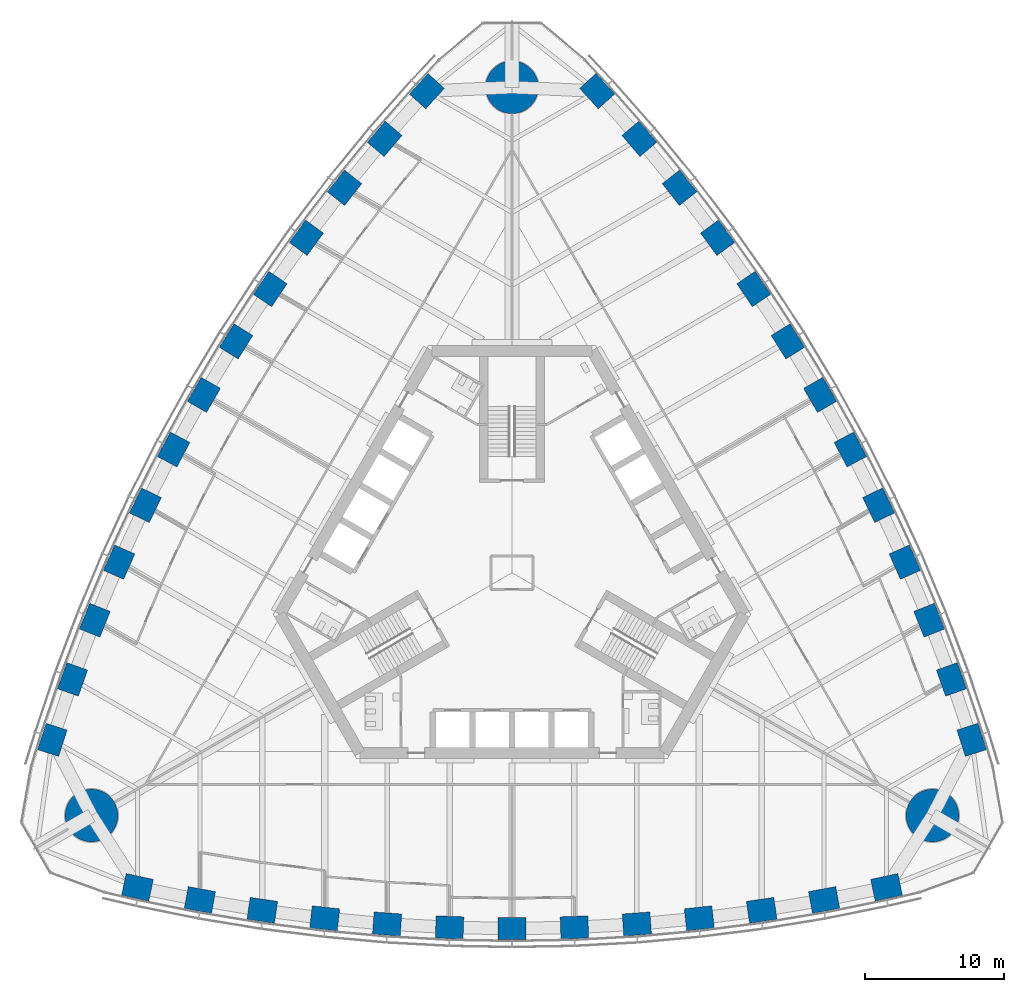
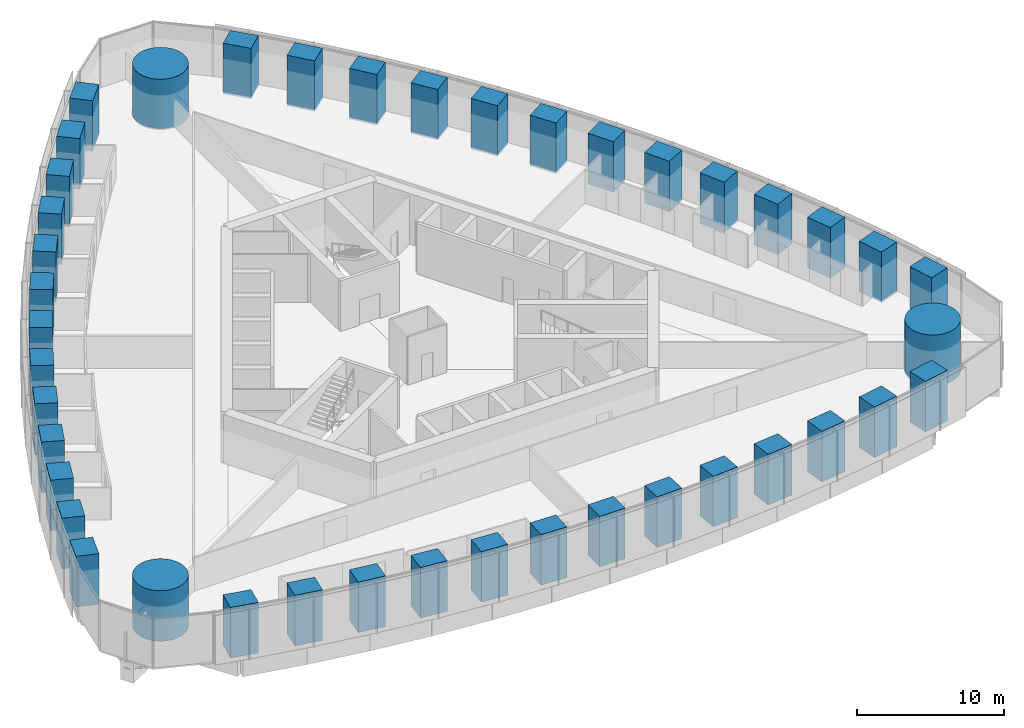
# One storey, part 1 of 18: 42 columns.
"""IFC4 building model written with IfcOpenShell, lengths in metres."""

import ifcopenshell
import ifcopenshell.guid

model = None  # the IFC model being written
_history = None  # IfcOwnerHistory: only IFC2X3 demands one
_inside = {}  # id of a spatial element -> (the spatial element, [elements in it])
_under = {}  # id of a project, library or spatial element -> (it, [spatial elements below it])
_declared = {}  # id of a project -> (the project, [libraries it declares])
_typed = {}  # id of a type object -> (the type object, [elements of that type])
_made_of = {}  # id of a material, layer set ... -> (it, [elements and type objects made of it])


def new_model(schema):
    """Start an empty IFC model of exactly this schema.

    Asked for "IFC4X3", IfcOpenShell would pick the latest addendum, in which some entities
    have other attributes; the version numbers below select the first issue.
    IFC2X3 requires an IfcOwnerHistory on every rooted entity: one is made here for all.
    """
    global model, _history
    if schema == "IFC4X3":
        model = ifcopenshell.file(schema_version=(4, 3, 0, 0))
    else:
        model = ifcopenshell.file(schema=schema)
    _inside.clear()
    _under.clear()
    _declared.clear()
    _typed.clear()
    _made_of.clear()
    _history = None
    if model.schema == "IFC2X3":
        org = make("IfcOrganization", Name="unknown")
        user = make(
            "IfcPersonAndOrganization",
            ThePerson=make("IfcPerson", FamilyName="unknown"),
            TheOrganization=org,
        )
        app = make(
            "IfcApplication",
            ApplicationDeveloper=org,
            Version="unknown",
            ApplicationFullName="unknown",
            ApplicationIdentifier="unknown",
        )
        _history = make(
            "IfcOwnerHistory",
            OwningUser=user,
            OwningApplication=app,
            ChangeAction="ADDED",
            CreationDate=0,
        )
    return model


def make(cls, **values):
    """One entity of the class cls with the attributes given. An attribute that is None is left unset."""
    return model.create_entity(
        cls, **{name: value for name, value in values.items() if value is not None}
    )


def rooted(cls, **values):
    """An entity with a GlobalId (a new one), such as an element, a storey or a relation."""
    return make(cls, GlobalId=ifcopenshell.guid.new(), OwnerHistory=_history, **values)


def si_unit(unit_type, name, prefix=None):
    """IfcSIUnit, for example si_unit("LENGTHUNIT", "METRE", prefix="MILLI")."""
    return make("IfcSIUnit", UnitType=unit_type, Prefix=prefix, Name=name)


def assignment(units):
    """IfcUnitAssignment: the units of a project."""
    return None if units is None else make("IfcUnitAssignment", Units=units)


def point(xyz):
    """IfcCartesianPoint."""
    return None if xyz is None else make("IfcCartesianPoint", Coordinates=xyz)


def direction(xyz):
    """IfcDirection."""
    return None if xyz is None else make("IfcDirection", DirectionRatios=xyz)


def frame(location, z_axis=None, x_axis=None):
    """IfcAxis2Placement3D, a coordinate frame: its origin and axes. An axis left out is left unset."""
    return make(
        "IfcAxis2Placement3D",
        Location=point(location),
        Axis=direction(z_axis),
        RefDirection=direction(x_axis),
    )


def frame_2d(location, x_axis=None):
    """IfcAxis2Placement2D, a coordinate frame in the plane: its origin and x axis."""
    return make(
        "IfcAxis2Placement2D", Location=point(location), RefDirection=direction(x_axis)
    )


def origin():
    """The frame at (0, 0, 0) with its axes left unset."""
    return frame((0.0, 0.0, 0.0))


def origin_2d():
    """The frame at (0, 0) in the plane with its x axis left unset."""
    return frame_2d((0.0, 0.0))


def place(relative_to, where):
    """IfcLocalPlacement: puts the frame where relative to a parent placement (None: the world)."""
    return make(
        "IfcLocalPlacement", PlacementRelTo=relative_to, RelativePlacement=where
    )


def context(
    kind, dimensions, precision=None, world=None, true_north=None, identifier=None
):
    """IfcGeometricRepresentationContext, for example the 3D "Model" context."""
    return make(
        "IfcGeometricRepresentationContext",
        ContextIdentifier=identifier,
        ContextType=kind,
        CoordinateSpaceDimension=dimensions,
        Precision=precision,
        WorldCoordinateSystem=world,
        TrueNorth=true_north,
    )


def subcontext(parent, identifier, kind, view, scale=None):
    """IfcGeometricRepresentationSubContext, for example "Body" below "Model"."""
    return make(
        "IfcGeometricRepresentationSubContext",
        ContextIdentifier=identifier,
        ContextType=kind,
        ParentContext=parent,
        TargetScale=scale,
        TargetView=view,
    )


def project(units=None, contexts=None):
    """IfcProject with its units and contexts."""
    return rooted(
        "IfcProject",
        Name="project",
        RepresentationContexts=contexts,
        UnitsInContext=assignment(units),
    )


def spatial(cls, under=None, at=None, **own):
    """A site, building, storey or space (cls), placed at a placement, below another one or the project."""
    s = rooted(cls, ObjectPlacement=at, **own)
    if under is not None:
        _under.setdefault(under.id(), (under, []))[1].append(s)
    return s


def profile(cls, at=None, kind="AREA", **sizes):
    """A parametric profile (cls). Its sizes go by their IFC names, for example OverallWidth=200.0."""
    return make(cls, ProfileType=kind, Position=at, **sizes)


def rectangle(**sizes):
    """IfcRectangleProfileDef."""
    return profile("IfcRectangleProfileDef", **sizes)


def circle(**sizes):
    """IfcCircleProfileDef."""
    return profile("IfcCircleProfileDef", **sizes)


def extrude(swept, where, along, depth):
    """IfcExtrudedAreaSolid: the profile swept, set in the frame where, extruded along a direction by depth."""
    return make(
        "IfcExtrudedAreaSolid",
        SweptArea=swept,
        Position=where,
        ExtrudedDirection=direction(along),
        Depth=depth,
    )


def shape(context_of_items, identifier, shape_type, items):
    """IfcShapeRepresentation: the items that make up one representation, for example the "Body"."""
    return make(
        "IfcShapeRepresentation",
        ContextOfItems=context_of_items,
        RepresentationIdentifier=identifier,
        RepresentationType=shape_type,
        Items=items,
    )


def material(Name=None, Category=None):
    """IfcMaterial."""
    return make("IfcMaterial", Name=Name, Category=Category)


def material_profile(
    of_material, cross_section, Name=None, Category=None, Priority=None
):
    """IfcMaterialProfile: a cross section and its material."""
    return make(
        "IfcMaterialProfile",
        Name=Name,
        Material=of_material,
        Profile=cross_section,
        Priority=Priority,
        Category=Category,
    )


def profile_set(profiles, Name=None, composite=None):
    """IfcMaterialProfileSet."""
    return make(
        "IfcMaterialProfileSet",
        Name=Name,
        MaterialProfiles=profiles,
        CompositeProfile=composite,
    )


def made_of(thing, what):
    """Note that an element or type object is made of a material, layer set ...; save() writes the relation."""
    if what is not None:
        _made_of.setdefault(what.id(), (what, []))[1].append(thing)
    return thing


def type_object(cls, material=None, **own):
    """A type object (cls), such as IfcWallType, which elements share."""
    return made_of(rooted(cls, **own), material)


def element(
    cls,
    number,
    at=None,
    inside=None,
    cuts=None,
    type_object=None,
    material=None,
    context=None,
    identifier="Body",
    shape_type=None,
    held_by="IfcProductDefinitionShape",
    body=None,
    shapes=None,
    **own,
):
    """One element of the class cls, such as IfcWall. Its Tag is "e" and its number.

    at: its placement. inside: the storey or other place that contains it. cuts: it is an
    opening in that element (IfcRelVoidsElement). A single representation is given by context,
    identifier, shape_type and body (its items); several are given by shapes. held_by: the class
    of the entity that holds the representations. save() writes the other relations.
    """
    e = rooted(cls, Tag="e%d" % number, ObjectPlacement=at, **own)
    if body is not None:
        shapes = [shape(context, identifier, shape_type, body)]
    if shapes is not None:
        e.Representation = make(held_by, Representations=shapes)
    if inside is not None:
        _inside.setdefault(inside.id(), (inside, []))[1].append(e)
    if cuts is not None:
        rooted(
            "IfcRelVoidsElement", RelatingBuildingElement=cuts, RelatedOpeningElement=e
        )
    if type_object is not None:
        _typed.setdefault(type_object.id(), (type_object, []))[1].append(e)
    return made_of(e, material)


def aggregate(whole, parts):
    """IfcRelAggregates: a whole, such as a stair, and the parts it consists of."""
    return rooted("IfcRelAggregates", RelatingObject=whole, RelatedObjects=parts)


def save(model, path):
    """Write the relations noted so far, then the file.

    IfcRelAggregates (storeys below a building ...), IfcRelContainedInSpatialStructure (elements
    in a storey), IfcRelDefinesByType, IfcRelAssociatesMaterial and IfcRelDeclares: one each for
    every whole, place, type object, material and project.
    """
    for whole, parts in _under.values():
        aggregate(whole, parts)
    for where, things in _inside.values():
        rooted(
            "IfcRelContainedInSpatialStructure",
            RelatedElements=things,
            RelatingStructure=where,
        )
    for kind, things in _typed.values():
        rooted("IfcRelDefinesByType", RelatedObjects=things, RelatingType=kind)
    for what, things in _made_of.values():
        rooted("IfcRelAssociatesMaterial", RelatedObjects=things, RelatingMaterial=what)
    for by, libraries in _declared.values():
        rooted("IfcRelDeclares", RelatingContext=by, RelatedDefinitions=libraries)
    model.write(path)


model = new_model("IFC4")

# Units and contexts
model_context = context("Model", 3, precision=1e-05, world=origin(), true_north=direction((0.0, 1.0)))
body_context = subcontext(model_context, "Body", "Model", "MODEL_VIEW")
ifc_project = project(units=[si_unit("LENGTHUNIT", "METRE"), si_unit("AREAUNIT", "SQUARE_METRE"), si_unit("VOLUMEUNIT", "CUBIC_METRE"), si_unit("PLANEANGLEUNIT", "RADIAN"), si_unit("MASSUNIT", "GRAM", prefix="KILO")], contexts=[model_context])

# Site, building, storey
site_placement = place(None, origin())
site = spatial("IfcSite", under=ifc_project, at=site_placement, CompositionType="ELEMENT")
building_placement = place(site_placement, origin())
building = spatial("IfcBuilding", under=site, at=building_placement, Name="Trefoil Bronze Tower", CompositionType="ELEMENT")
storey_placement = place(building_placement, frame((0.0, 0.0, 161.89990234375)))
storey = spatial("IfcBuildingStorey", under=building, at=storey_placement, Name="L37", CompositionType="ELEMENT", Elevation=161.89990234375)

# Columns
ifc_material_1 = material(Name="Concrete B80", Category="concrete")
ifc_material_profile_1 = material_profile(ifc_material_1, circle(Radius=1.89990234375, at=origin_2d()), Name="RC D3800")
ifc_profile_set_1 = profile_set([ifc_material_profile_1], Name="Concrete B80")
column_type_1 = type_object("IfcColumnType", Name="Mega column RC D3800", PredefinedType="COLUMN", material=ifc_profile_set_1)
for number, where, z_axis, x_axis, name in (
    (1, (30.310791015625, -17.5, 0.0), (0.0, 0.0, 1.0), (1.0, 0.0, 0.0), "Mega column K1 L37"),
    (2, (0.0, 35.0, 0.0), (0.0, 0.0, 1.0), (1.0, 0.0, 0.0), "Mega column K2 L37"),
    (3, (-30.310791015625, -17.5, 0.0), (0.0, 0.0, 1.0), (1.0, 0.0, 0.0), "Mega column K3 L37"),
):
    element("IfcColumn", number, at=place(storey_placement, frame(where, z_axis=z_axis, x_axis=x_axis)), inside=storey, type_object=column_type_1, Name=name, PredefinedType="COLUMN", context=body_context, shape_type="SweptSolid", body=[
        extrude(circle(Radius=1.89990234375, at=origin_2d()), origin(), (0.0, 0.0, 1.0), 4.2001953125),
    ])
ifc_material_2 = material(Name="Concrete B80", Category="concrete")
ifc_material_profile_2 = material_profile(ifc_material_2, rectangle(XDim=2.0, YDim=1.60009765625, at=origin_2d()), Name="RC 2000x1600")
ifc_profile_set_2 = profile_set([ifc_material_profile_2], Name="Concrete B80")
column_type_2 = type_object("IfcColumnType", Name="Tube column RC 2000x1600", PredefinedType="COLUMN", material=ifc_profile_set_2)
for number, where, z_axis, x_axis, name in (
    (4, (-27.0, -22.67724609375, 0.0), (0.0, 0.0, 1.0), (0.977276081214, -0.21197042503, 0.0), "Tube column F1/-6 L37"),
    (5, (-22.5, -23.592529296875, 0.0), (0.0, 0.0, 1.0), (0.98362250613, -0.180240853954, 0.0), "Tube column F1/-5 L37"),
    (6, (-18.0, -24.337158203125, 0.0), (0.0, 0.0, 1.0), (0.989549714366, -0.144192103798, 0.0), "Tube column F1/-4 L37"),
    (7, (-13.5, -24.9130859375, 0.0), (0.0, 0.0, 1.0), (0.994135267447, -0.108143747013, 0.0), "Tube column F1/-3 L37"),
    (8, (-9.0, -25.32275390625, 0.0), (0.0, 0.0, 1.0), (0.997397720802, -0.072095676284, 0.0), "Tube column F1/-2 L37"),
    (9, (-4.5, -25.568115234375, 0.0), (0.0, 0.0, 1.0), (0.999350067136, -0.036047792107, 0.0), "Tube column F1/-1 L37"),
    (10, (0.0, -25.649658203125, 0.0), (0.0, 0.0, 1.0), (1.0, 0.0, 0.0), "Tube column F1/+0 L37"),
    (11, (4.5, -25.568115234375, 0.0), (0.0, 0.0, 1.0), (0.999350067136, 0.036047792107, 0.0), "Tube column F1/+1 L37"),
    (12, (9.0, -25.32275390625, 0.0), (0.0, 0.0, 1.0), (0.997397720802, 0.072095676284, 0.0), "Tube column F1/+2 L37"),
    (13, (13.5, -24.9130859375, 0.0), (0.0, 0.0, 1.0), (0.994135267447, 0.108143747013, 0.0), "Tube column F1/+3 L37"),
    (14, (18.0, -24.337158203125, 0.0), (0.0, 0.0, 1.0), (0.989549714366, 0.144192103798, 0.0), "Tube column F1/+4 L37"),
    (15, (22.5, -23.592529296875, 0.0), (0.0, 0.0, 1.0), (0.98362250613, 0.180240853954, 0.0), "Tube column F1/+5 L37"),
    (16, (27.0, -22.67724609375, 0.0), (0.0, 0.0, 1.0), (0.977276081214, 0.21197042503, 0.0), "Tube column F1/+6 L37"),
    (17, (33.13916015625, -12.044189453125, 0.0), (0.0, 0.0, 1.0), (-0.30506626768, 0.952331125357, 0.0), "Tube column F2/-6 L37"),
    (18, (31.681884765625, -7.689208984375, 0.0), (0.0, 0.0, 1.0), (-0.335718094742, 0.94196250502, 0.0), "Tube column F2/-5 L37"),
    (19, (30.07666015625, -3.419921875, 0.0), (0.0, 0.0, 1.0), (-0.369900832269, 0.929071242848, 0.0), "Tube column F2/-4 L37"),
    (20, (28.325439453125, 0.76513671875, 0.0), (0.0, 0.0, 1.0), (-0.40341240155, 0.915018269914, 0.0), "Tube column F2/-3 L37"),
    (21, (26.43017578125, 4.8671875, 0.0), (0.0, 0.0, 1.0), (-0.436262173236, 0.899819602033, 0.0), "Tube column F2/-2 L37"),
    (22, (24.392578125, 8.886962890625, 0.0), (0.0, 0.0, 1.0), (-0.468456729853, 0.883486441467, 0.0), "Tube column F2/-1 L37"),
    (23, (22.21337890625, 12.824951171875, 0.0), (0.0, 0.0, 1.0), (-0.5, 0.866025403784, 0.0), "Tube column F2/+0 L37"),
    (24, (19.892578125, 16.68115234375, 0.0), (0.0, 0.0, 1.0), (-0.530893337283, 0.84743864936, 0.0), "Tube column F2/+1 L37"),
    (25, (17.43017578125, 20.45556640625, 0.0), (0.0, 0.0, 1.0), (-0.561135547566, 0.827723925749, 0.0), "Tube column F2/+2 L37"),
    (26, (14.825439453125, 24.14794921875, 0.0), (0.0, 0.0, 1.0), (-0.590722865897, 0.806874522901, 0.0), "Tube column F2/+3 L37"),
    (27, (12.07666015625, 27.757080078125, 0.0), (0.0, 0.0, 1.0), (-0.619648882098, 0.78487913905, 0.0), "Tube column F2/+4 L37"),
    (28, (9.181884765625, 31.281982421875, 0.0), (0.0, 0.0, 1.0), (-0.647904411389, 0.761721651066, 0.0), "Tube column F2/+5 L37"),
    (29, (6.13916015625, 34.72119140625, 0.0), (0.0, 0.0, 1.0), (-0.672209813534, 0.740360700327, 0.0), "Tube column F2/+6 L37"),
    (30, (-6.13916015625, 34.72119140625, 0.0), (0.0, 0.0, 1.0), (-0.672209813534, -0.740360700327, 0.0), "Tube column F3/-6 L37"),
    (31, (-9.181884765625, 31.281982421875, 0.0), (0.0, 0.0, 1.0), (-0.647904411389, -0.761721651066, 0.0), "Tube column F3/-5 L37"),
    (32, (-12.07666015625, 27.757080078125, 0.0), (0.0, 0.0, 1.0), (-0.619648882098, -0.78487913905, 0.0), "Tube column F3/-4 L37"),
    (33, (-14.825439453125, 24.14794921875, 0.0), (0.0, 0.0, 1.0), (-0.590722865897, -0.806874522901, 0.0), "Tube column F3/-3 L37"),
    (34, (-17.43017578125, 20.45556640625, 0.0), (0.0, 0.0, 1.0), (-0.561135547566, -0.827723925749, 0.0), "Tube column F3/-2 L37"),
    (35, (-19.892578125, 16.68115234375, 0.0), (0.0, 0.0, 1.0), (-0.530893337283, -0.84743864936, 0.0), "Tube column F3/-1 L37"),
    (36, (-22.21337890625, 12.824951171875, 0.0), (0.0, 0.0, 1.0), (-0.5, -0.866025403784, 0.0), "Tube column F3/+0 L37"),
    (37, (-24.392578125, 8.886962890625, 0.0), (0.0, 0.0, 1.0), (-0.468456729853, -0.883486441467, 0.0), "Tube column F3/+1 L37"),
    (38, (-26.43017578125, 4.8671875, 0.0), (0.0, 0.0, 1.0), (-0.436262173236, -0.899819602033, 0.0), "Tube column F3/+2 L37"),
    (39, (-28.325439453125, 0.76513671875, 0.0), (0.0, 0.0, 1.0), (-0.40341240155, -0.915018269914, 0.0), "Tube column F3/+3 L37"),
    (40, (-30.07666015625, -3.419921875, 0.0), (0.0, 0.0, 1.0), (-0.369900832269, -0.929071242848, 0.0), "Tube column F3/+4 L37"),
    (41, (-31.681884765625, -7.689208984375, 0.0), (0.0, 0.0, 1.0), (-0.335718094742, -0.94196250502, 0.0), "Tube column F3/+5 L37"),
    (42, (-33.13916015625, -12.044189453125, 0.0), (0.0, 0.0, 1.0), (-0.30506626768, -0.952331125357, 0.0), "Tube column F3/+6 L37"),
):
    element("IfcColumn", number, at=place(storey_placement, frame(where, z_axis=z_axis, x_axis=x_axis)), inside=storey, type_object=column_type_2, Name=name, PredefinedType="COLUMN", context=body_context, shape_type="SweptSolid", body=[
        extrude(rectangle(XDim=2.0, YDim=1.60009765625, at=origin_2d()), origin(), (0.0, 0.0, 1.0), 4.2001953125),
    ])

save(model, "model.ifc")
